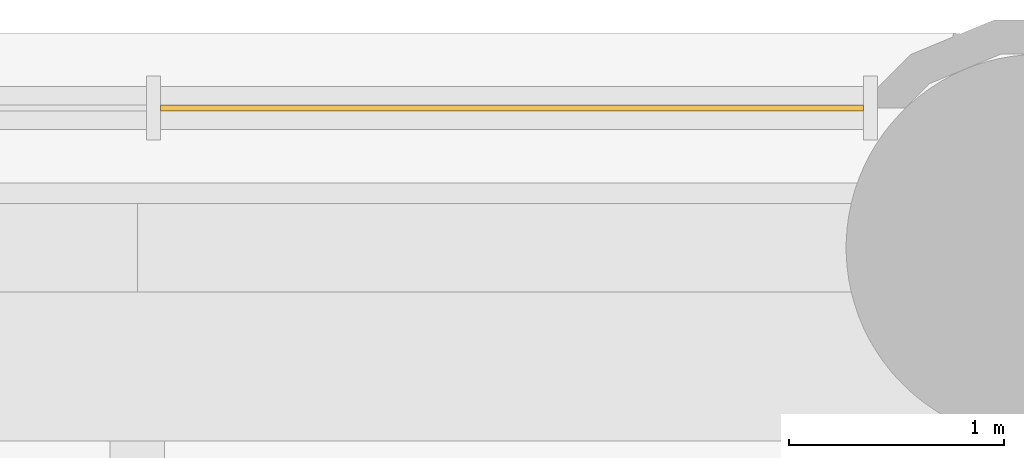
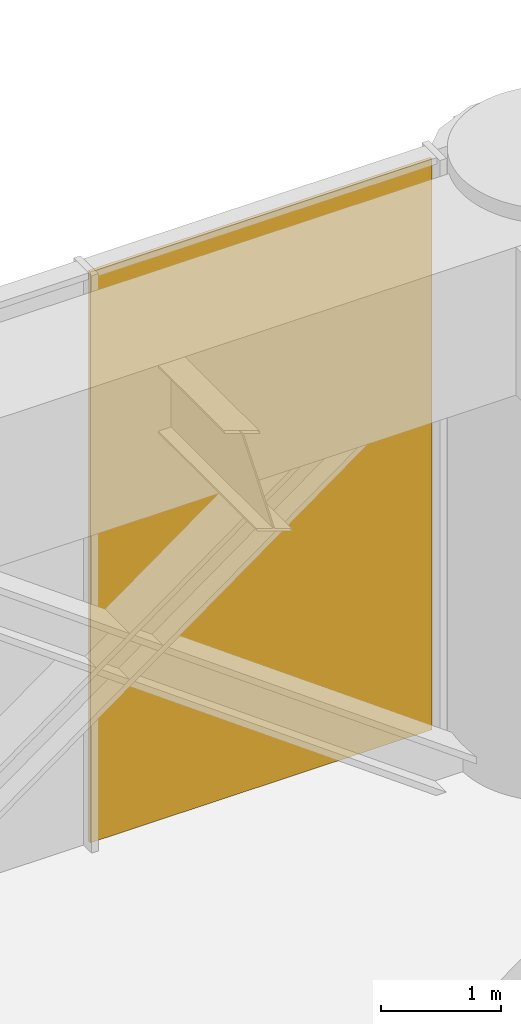
# One storey, part 13 of 13: 1 shading device, 1 element without a shape of its own.
"""IFC4 building model written with IfcOpenShell, lengths in metres."""

from ifc_helpers import new_model, si_unit, direction, frame, origin, origin_2d, place, context, subcontext, project, spatial, rectangle, extrude, material, layer, layer_set, type_object, element, aggregate, save


model = new_model("IFC4")

# Units and contexts
model_context = context("Model", 3, precision=1e-05, world=origin(), true_north=direction((0.0, 1.0)))
body_context = subcontext(model_context, "Body", "Model", "MODEL_VIEW")
ifc_project = project(units=[si_unit("LENGTHUNIT", "METRE"), si_unit("AREAUNIT", "SQUARE_METRE"), si_unit("VOLUMEUNIT", "CUBIC_METRE"), si_unit("PLANEANGLEUNIT", "RADIAN"), si_unit("MASSUNIT", "GRAM", prefix="KILO")], contexts=[model_context])

# Site, building, storey
site_placement = place(None, origin())
site = spatial("IfcSite", under=ifc_project, at=site_placement, CompositionType="ELEMENT")
building_placement = place(site_placement, origin())
building = spatial("IfcBuilding", under=site, at=building_placement, Name="Torre Alcanfor", CompositionType="ELEMENT")
storey_placement = place(building_placement, frame((0.0, 0.0, 177.300048828125)))
storey = spatial("IfcBuildingStorey", under=building, at=storey_placement, Name="L46", CompositionType="ELEMENT", Elevation=177.300048828125)

# Curtain wall, shading device
ifc_material_1 = material(Name="Aluminium and glass", Category="aluminium")
curtain_wall_type = type_object("IfcCurtainWallType", Name="CW-D plant floor louvre screen", PredefinedType="NOTDEFINED", material=ifc_material_1)
curtain_wall_placement = place(storey_placement, origin())
curtain_wall = element("IfcCurtainWall", 1, at=curtain_wall_placement, inside=storey, type_object=curtain_wall_type, Name="Curtain wall CW-D L46 11", PredefinedType="NOTDEFINED")
ifc_material_2 = material(Name="Aluminium louvre", Category="aluminium")
ifc_layer = layer(ifc_material_2, 0.028076171875)
ifc_layer_set = layer_set([ifc_layer], Name="CW-D aluminium louvre panel")
shading_device_type = type_object("IfcShadingDeviceType", Name="CW-D aluminium louvre panel", PredefinedType="SHUTTER", material=ifc_layer_set)
shading_device_placement = place(storey_placement, frame((39.544189453125, 51.050048828125, 0.0), z_axis=(0.0, 0.0, 1.0), x_axis=(-1.0, 0.0, 0.0)))
shading_device = element("IfcShadingDevice", 2, at=shading_device_placement, type_object=shading_device_type, Name="CW-D panel 1.1.1", PredefinedType="SHUTTER", context=body_context, shape_type="SweptSolid", body=[
    extrude(rectangle(XDim=3.27294921875, YDim=0.028076171875, at=origin_2d()), origin(), (0.0, 0.0, 1.0), 5.784912109375),
])
aggregate(curtain_wall, [shading_device])

save(model, "model.ifc")
